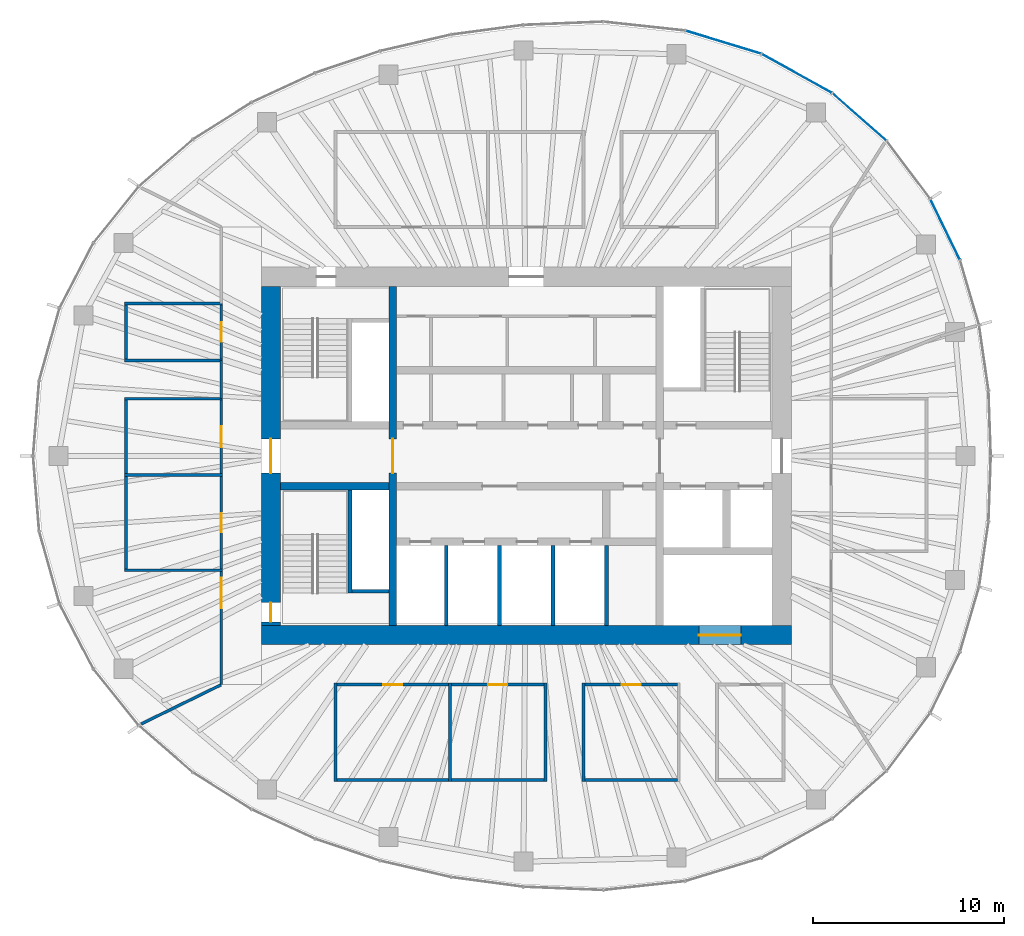
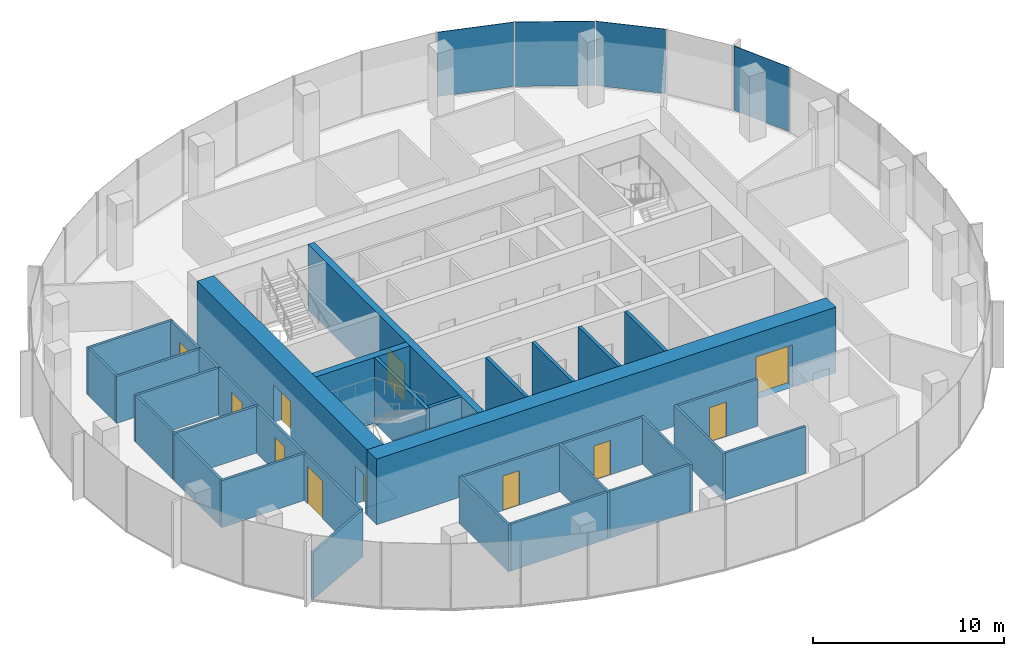
# One storey, part 8 of 11: 34 walls, 11 doors, 4 plates, 11 openings, 3 elements without a shape of their own.
"""IFC4 building model written with IfcOpenShell, lengths in metres."""

from ifc_helpers import new_model, si_unit, direction, frame, frame_2d, origin, origin_2d, place, context, subcontext, project, spatial, rectangle, extrude, material, layer, layer_set, type_object, element, fill, aggregate, save


model = new_model("IFC4")

# Units and contexts
model_context = context("Model", 3, precision=1e-05, world=origin(), true_north=direction((0.0, 1.0)))
body_context = subcontext(model_context, "Body", "Model", "MODEL_VIEW")
ifc_project = project(units=[si_unit("LENGTHUNIT", "METRE"), si_unit("AREAUNIT", "SQUARE_METRE"), si_unit("VOLUMEUNIT", "CUBIC_METRE"), si_unit("PLANEANGLEUNIT", "RADIAN"), si_unit("MASSUNIT", "GRAM", prefix="KILO")], contexts=[model_context])

# Site, building, storey
site_placement = place(None, origin())
site = spatial("IfcSite", under=ifc_project, at=site_placement, CompositionType="ELEMENT")
building_placement = place(site_placement, origin())
building = spatial("IfcBuilding", under=site, at=building_placement, Name="Ghaith Harvest Tower", CompositionType="ELEMENT")
storey_placement = place(building_placement, frame((0.0, 0.0, 330.0)))
storey = spatial("IfcBuildingStorey", under=building, at=storey_placement, Name="L74", CompositionType="ELEMENT", Elevation=330.0)

# Curtain wall, plate
ifc_material_1 = material(Name="Black anodised aluminium and fritted glass", Category="aluminium")
curtain_wall_type = type_object("IfcCurtainWallType", Name="CW-T CURTAIN WALL", PredefinedType="NOTDEFINED", material=ifc_material_1)
curtain_wall_1_placement = place(storey_placement, origin())
curtain_wall_1 = element("IfcCurtainWall", 1, at=curtain_wall_1_placement, inside=storey, type_object=curtain_wall_type, Name="Curtain wall CW-T bay 02 L74", PredefinedType="NOTDEFINED")
ifc_material_2 = material(Name="Glass, dark solar-control fritted double glazed unit", Category="glass")
ifc_layer_1 = layer(ifc_material_2, 0.033935546875)
ifc_layer_set_1 = layer_set([ifc_layer_1], Name="CW-T VISION PANEL")
plate_type = type_object("IfcPlateType", Name="CW-T VISION PANEL", PredefinedType="CURTAIN_PANEL", material=ifc_layer_set_1)
plate_1_placement = place(storey_placement, frame((21.9716796875, 11.878662109375, 0.079833984375), z_axis=(0.0, 0.0, 1.0), x_axis=(-0.437968365148, 0.898990384337, 0.0)))
plate_1 = element("IfcPlate", 2, at=plate_1_placement, type_object=plate_type, Name="CW-T glass unit 2 bay 02 L74", PredefinedType="CURTAIN_PANEL", context=body_context, shape_type="SweptSolid", body=[
    extrude(rectangle(XDim=3.49365234375, YDim=0.033935546875, at=origin_2d()), origin(), (0.0, 0.0, 1.0), 4.1201171875),
])
aggregate(curtain_wall_1, [plate_1])

curtain_wall_2_placement = place(storey_placement, origin())
curtain_wall_2 = element("IfcCurtainWall", 3, at=curtain_wall_2_placement, inside=storey, type_object=curtain_wall_type, Name="Curtain wall CW-T bay 03 L74", PredefinedType="NOTDEFINED")
plate_2_placement = place(storey_placement, frame((17.47509765625, 17.779541015625, 0.079833984375), z_axis=(0.0, 0.0, 1.0), x_axis=(-0.751334532416, 0.659921525941, 0.0)))
plate_2 = element("IfcPlate", 4, at=plate_2_placement, type_object=plate_type, Name="CW-T glass unit 2 bay 03 L74", PredefinedType="CURTAIN_PANEL", context=body_context, shape_type="SweptSolid", body=[
    extrude(rectangle(XDim=3.7158203125, YDim=0.033935546875, at=origin_2d()), origin(), (0.0, 0.0, 1.0), 4.1201171875),
])
aggregate(curtain_wall_2, [plate_2])

# Curtain wall, plates
curtain_wall_3_placement = place(storey_placement, origin())
curtain_wall_3 = element("IfcCurtainWall", 5, at=curtain_wall_3_placement, inside=storey, type_object=curtain_wall_type, Name="Curtain wall CW-T bay 04 L74", PredefinedType="NOTDEFINED")
plate_3_placement = place(storey_placement, frame((14.19189453125, 20.06201171875, 0.079833984375), z_axis=(0.0, 0.0, 1.0), x_axis=(-0.87456402291, 0.484910063653, 0.0)))
plate_3 = element("IfcPlate", 6, at=plate_3_placement, type_object=plate_type, Name="CW-T glass unit 1 bay 04 L74", PredefinedType="CURTAIN_PANEL", context=body_context, shape_type="SweptSolid", body=[
    extrude(rectangle(XDim=4.167724609375, YDim=0.033935546875, at=origin_2d()), origin(), (0.0, 0.0, 1.0), 4.1201171875),
])
plate_4_placement = place(storey_placement, frame((10.337158203125, 21.700439453125, 0.079833984375), z_axis=(0.0, 0.0, 1.0), x_axis=(-0.956587736124, 0.291444511181, 0.0)))
plate_4 = element("IfcPlate", 7, at=plate_4_placement, type_object=plate_type, Name="CW-T glass unit 2 bay 04 L74", PredefinedType="CURTAIN_PANEL", context=body_context, shape_type="SweptSolid", body=[
    extrude(rectangle(XDim=4.095703125, YDim=0.033935546875, at=origin_2d()), origin(), (0.0, 0.0, 1.0), 4.1201171875),
])
aggregate(curtain_wall_3, [plate_3, plate_4])

# Wall, opening, door
ifc_material_3 = material(Name="Concrete C50/60", Category="concrete")
ifc_layer_2 = layer(ifc_material_3, 1.0)
ifc_layer_set_2 = layer_set([ifc_layer_2], Name="CORE WALL CW1000")
wall_type_1 = type_object("IfcWallType", Name="CORE WALL CW1000", PredefinedType="SHEAR", material=ifc_layer_set_2)
wall_1_placement = place(storey_placement, frame((-13.89990234375, -9.39990234375, 0.0), z_axis=(0.0, 0.0, 1.0), x_axis=(1.0, 0.0, 0.0)))
wall_1 = element("IfcWall", 8, at=wall_1_placement, inside=storey, type_object=wall_type_1, Name="Core wall S L74", PredefinedType="SHEAR", context=body_context, shape_type="SweptSolid", body=[
    extrude(rectangle(XDim=27.7998046875, YDim=1.0, at=frame_2d((13.89990234375, 0.0))), origin(), (0.0, 0.0, 1.0), 4.199951171875),
])
opening_1_placement = place(wall_1_placement, frame((22.949951171875, 0.0, 0.0)))
opening_1 = element("IfcOpeningElement", 9, at=opening_1_placement, cuts=wall_1, Name="Opening 74-026", PredefinedType="OPENING", context=body_context, shape_type="SweptSolid", body=[
    extrude(rectangle(XDim=2.199951171875, YDim=2.699951171875, at=frame_2d((1.10009765625, 1.35009765625))), frame((0.0, 0.510009765625, 0.0), z_axis=(0.0, -1.0, 0.0), x_axis=(1.0, 0.0, 0.0)), (0.0, 0.0, 1.0), 1.02001953125),
])
ifc_material_4 = material(Name="Steel fire door", Category="steel")
door_type_1 = type_object("IfcDoorType", Name="LD3 LANDING 2200x2700", OperationType="DOUBLE_DOOR_SLIDING", PredefinedType="DOOR", material=ifc_material_4)
door_1_placement = place(opening_1_placement, origin())
door_1 = element("IfcDoor", 10, at=door_1_placement, inside=storey, type_object=door_type_1, Name="Landing door, goods lift GL1", OperationType="DOUBLE_DOOR_SLIDING", OverallHeight=2.699951171875, OverallWidth=2.199951171875, PredefinedType="DOOR", context=body_context, shape_type="SweptSolid", body=[
    extrude(rectangle(XDim=2.199951171875, YDim=2.699951171875, at=frame_2d((1.10009765625, 1.35009765625))), frame((0.0, 0.02490234375, 0.0), z_axis=(0.0, -1.0, 0.0), x_axis=(1.0, 0.0, 0.0)), (0.0, 0.0, 1.0), 0.050048828125),
])
fill(opening_1, door_1)

# Wall, openings, doors
wall_2_placement = place(storey_placement, frame((-13.39990234375, 8.89990234375, 0.0), z_axis=(0.0, 0.0, 1.0), x_axis=(0.0, -1.0, 0.0)))
wall_2 = element("IfcWall", 11, at=wall_2_placement, inside=storey, type_object=wall_type_1, Name="Core wall W L74", PredefinedType="SHEAR", context=body_context, shape_type="SweptSolid", body=[
    extrude(rectangle(XDim=17.7998046875, YDim=1.0, at=frame_2d((8.89990234375, 0.0))), origin(), (0.0, 0.0, 1.0), 4.199951171875),
])
opening_2_placement = place(wall_2_placement, frame((8.0, 0.0, 0.0)))
opening_2 = element("IfcOpeningElement", 12, at=opening_2_placement, cuts=wall_2, Name="Opening 74-001", PredefinedType="OPENING", context=body_context, shape_type="SweptSolid", body=[
    extrude(rectangle(XDim=1.800048828125, YDim=2.39990234375, at=frame_2d((0.89990234375, 1.199951171875))), frame((0.0, 0.510009765625, 0.0), z_axis=(0.0, -1.0, 0.0), x_axis=(1.0, 0.0, 0.0)), (0.0, 0.0, 1.0), 1.02001953125),
])
opening_3_placement = place(wall_2_placement, frame((16.60009765625, 0.0, 0.0)))
opening_3 = element("IfcOpeningElement", 13, at=opening_3_placement, cuts=wall_2, Name="Opening 74-006", PredefinedType="OPENING", context=body_context, shape_type="SweptSolid", body=[
    extrude(rectangle(XDim=1.0, YDim=2.39990234375, at=frame_2d((0.5, 1.199951171875))), frame((0.0, 0.510009765625, 0.0), z_axis=(0.0, -1.0, 0.0), x_axis=(1.0, 0.0, 0.0)), (0.0, 0.0, 1.0), 1.02001953125),
])
ifc_material_5 = material(Name="Steel fire door", Category="steel")
door_type_2 = type_object("IfcDoorType", Name="D3 FD90 1000x2400", OperationType="SINGLE_SWING_LEFT", PredefinedType="DOOR", material=ifc_material_5)
door_2_placement = place(opening_3_placement, origin())
door_2 = element("IfcDoor", 14, at=door_2_placement, inside=storey, type_object=door_type_2, Name="Stair ST3 door", OperationType="SINGLE_SWING_RIGHT", OverallHeight=2.39990234375, OverallWidth=1.0, PredefinedType="DOOR", context=body_context, shape_type="SweptSolid", body=[
    extrude(rectangle(XDim=1.0, YDim=2.39990234375, at=frame_2d((0.5, 1.199951171875))), frame((0.0, 0.02490234375, 0.0), z_axis=(0.0, -1.0, 0.0), x_axis=(1.0, 0.0, 0.0)), (0.0, 0.0, 1.0), 0.050048828125),
])
fill(opening_3, door_2)
ifc_material_6 = material(Name="Steel fire door", Category="steel")
door_type_3 = type_object("IfcDoorType", Name="D4 FD90 PAIR 1800x2400", OperationType="DOUBLE_DOOR_SINGLE_SWING", PredefinedType="DOOR", material=ifc_material_6)
door_3_placement = place(opening_2_placement, origin())
door_3 = element("IfcDoor", 15, at=door_3_placement, inside=storey, type_object=door_type_3, Name="West lobby doors", OperationType="DOUBLE_DOOR_SINGLE_SWING", OverallHeight=2.39990234375, OverallWidth=1.800048828125, PredefinedType="DOOR", context=body_context, shape_type="SweptSolid", body=[
    extrude(rectangle(XDim=1.800048828125, YDim=2.39990234375, at=frame_2d((0.89990234375, 1.199951171875))), frame((0.0, 0.02490234375, 0.0), z_axis=(0.0, -1.0, 0.0), x_axis=(1.0, 0.0, 0.0)), (0.0, 0.0, 1.0), 0.050048828125),
])
fill(opening_2, door_3)

# Walls
ifc_material_7 = material(Name="Concrete blockwork, 2-hour", Category="masonry")
ifc_layer_3 = layer(ifc_material_7, 0.199951171875)
ifc_layer_set_3 = layer_set([ifc_layer_3], Name="LIFT SHAFT WALL 200")
wall_type_2 = type_object("IfcWallType", Name="LIFT SHAFT WALL 200", PredefinedType="PARTITIONING", material=ifc_layer_set_3)
for number, where, z_axis, x_axis, name in (
    (16, (-4.199951171875, -4.699951171875, 0.0), (0.0, 0.0, 1.0), (0.0, -1.0, 0.0), "Lift shaft wall L74"),
    (17, (-1.39990234375, -4.699951171875, 0.0), (0.0, 0.0, 1.0), (0.0, -1.0, 0.0), "Lift shaft wall L74"),
    (18, (1.39990234375, -4.699951171875, 0.0), (0.0, 0.0, 1.0), (0.0, -1.0, 0.0), "Lift shaft wall L74"),
    (19, (4.199951171875, -4.699951171875, 0.0), (0.0, 0.0, 1.0), (0.0, -1.0, 0.0), "Lift shaft wall L74"),
):
    element("IfcWall", number, at=place(storey_placement, frame(where, z_axis=z_axis, x_axis=x_axis)), inside=storey, type_object=wall_type_2, Name=name, PredefinedType="PARTITIONING", context=body_context, shape_type="SweptSolid", body=[
        extrude(rectangle(XDim=4.199951171875, YDim=0.199951171875, at=frame_2d((2.10009765625, 0.0))), origin(), (0.0, 0.0, 1.0), 4.199951171875),
    ])
ifc_material_8 = material(Name="Gypsum board on steel studs", Category="steel")
ifc_layer_4 = layer(ifc_material_8, 0.14990234375)
ifc_layer_set_4 = layer_set([ifc_layer_4], Name="PARTITION 150")
wall_type_3 = type_object("IfcWallType", Name="PARTITION 150", PredefinedType="PARTITIONING", material=ifc_layer_set_4)
for number, where, z_axis, x_axis, name in (
    (20, (-10.0, -11.925048828125, 0.0), (0.0, 0.0, 1.0), (0.0, -1.0, 0.0), "Partition L74 row S3 cross wall 1"),
    (21, (-4.0, -11.925048828125, 0.0), (0.0, 0.0, 1.0), (0.0, -1.0, 0.0), "Partition L74 row S3 cross wall 2"),
    (22, (1.0, -11.925048828125, 0.0), (0.0, 0.0, 1.0), (0.0, -1.0, 0.0), "Partition L74 row S3 cross wall 3"),
):
    element("IfcWall", number, at=place(storey_placement, frame(where, z_axis=z_axis, x_axis=x_axis)), inside=storey, type_object=wall_type_3, Name=name, PredefinedType="PARTITIONING", context=body_context, shape_type="SweptSolid", body=[
        extrude(rectangle(XDim=5.14990234375, YDim=0.14990234375, at=frame_2d((2.574951171875, 0.0))), origin(), (0.0, 0.0, 1.0), 3.0),
    ])

# Wall, opening, door
wall_3_placement = place(storey_placement, frame((-9.925048828125, -12.0, 0.0), z_axis=(0.0, 0.0, 1.0), x_axis=(1.0, 0.0, 0.0)))
wall_3 = element("IfcWall", 23, at=wall_3_placement, inside=storey, type_object=wall_type_3, Name="Partition L74-04", PredefinedType="PARTITIONING", context=body_context, shape_type="SweptSolid", body=[
    extrude(rectangle(XDim=5.85009765625, YDim=0.14990234375, at=frame_2d((2.925048828125, 0.0))), origin(), (0.0, 0.0, 1.0), 3.0),
])
opening_4_placement = place(wall_3_placement, frame((2.425048828125, 0.0, 0.0)))
opening_4 = element("IfcOpeningElement", 24, at=opening_4_placement, cuts=wall_3, Name="Opening 74-030", PredefinedType="OPENING", context=body_context, shape_type="SweptSolid", body=[
    extrude(rectangle(XDim=1.0, YDim=2.199951171875, at=frame_2d((0.5, 1.10009765625))), frame((0.0, 0.0849609375, 0.0), z_axis=(0.0, -1.0, 0.0), x_axis=(1.0, 0.0, 0.0)), (0.0, 0.0, 1.0), 0.169921875),
])
ifc_material_9 = material(Name="Timber door", Category="wood")
door_type_4 = type_object("IfcDoorType", Name="D1 SINGLE 1000x2200", OperationType="SINGLE_SWING_LEFT", PredefinedType="DOOR", material=ifc_material_9)
door_4_placement = place(opening_4_placement, origin())
door_4 = element("IfcDoor", 25, at=door_4_placement, inside=storey, type_object=door_type_4, Name="Herb nursery door", OperationType="SINGLE_SWING_LEFT", OverallHeight=2.199951171875, OverallWidth=1.0, PredefinedType="DOOR", context=body_context, shape_type="SweptSolid", body=[
    extrude(rectangle(XDim=1.0, YDim=2.199951171875, at=frame_2d((0.5, 1.10009765625))), frame((0.0, 0.02490234375, 0.0), z_axis=(0.0, -1.0, 0.0), x_axis=(1.0, 0.0, 0.0)), (0.0, 0.0, 1.0), 0.050048828125),
])
fill(opening_4, door_4)

# Wall
wall_4_placement = place(storey_placement, frame((-9.925048828125, -17.0, 0.0), z_axis=(0.0, 0.0, 1.0), x_axis=(1.0, 0.0, 0.0)))
element("IfcWall", 26, at=wall_4_placement, inside=storey, type_object=wall_type_3, Name="Partition L74-04", PredefinedType="PARTITIONING", context=body_context, shape_type="SweptSolid", body=[
    extrude(rectangle(XDim=5.85009765625, YDim=0.14990234375, at=frame_2d((2.925048828125, 0.0))), origin(), (0.0, 0.0, 1.0), 3.0),
])

# Wall, opening, door
wall_5_placement = place(storey_placement, frame((-3.925048828125, -12.0, 0.0), z_axis=(0.0, 0.0, 1.0), x_axis=(1.0, 0.0, 0.0)))
wall_5 = element("IfcWall", 27, at=wall_5_placement, inside=storey, type_object=wall_type_3, Name="Partition L74-05", PredefinedType="PARTITIONING", context=body_context, shape_type="SweptSolid", body=[
    extrude(rectangle(XDim=4.85009765625, YDim=0.14990234375, at=frame_2d((2.425048828125, 0.0))), origin(), (0.0, 0.0, 1.0), 3.0),
])
opening_5_placement = place(wall_5_placement, frame((1.925048828125, 0.0, 0.0)))
opening_5 = element("IfcOpeningElement", 28, at=opening_5_placement, cuts=wall_5, Name="Opening 74-031", PredefinedType="OPENING", context=body_context, shape_type="SweptSolid", body=[
    extrude(rectangle(XDim=1.0, YDim=2.199951171875, at=frame_2d((0.5, 1.10009765625))), frame((0.0, 0.0849609375, 0.0), z_axis=(0.0, -1.0, 0.0), x_axis=(1.0, 0.0, 0.0)), (0.0, 0.0, 1.0), 0.169921875),
])
door_5_placement = place(opening_5_placement, origin())
door_5 = element("IfcDoor", 29, at=door_5_placement, inside=storey, type_object=door_type_4, Name="Store door", OperationType="SINGLE_SWING_LEFT", OverallHeight=2.199951171875, OverallWidth=1.0, PredefinedType="DOOR", context=body_context, shape_type="SweptSolid", body=[
    extrude(rectangle(XDim=1.0, YDim=2.199951171875, at=frame_2d((0.5, 1.10009765625))), frame((0.0, 0.02490234375, 0.0), z_axis=(0.0, -1.0, 0.0), x_axis=(1.0, 0.0, 0.0)), (0.0, 0.0, 1.0), 0.050048828125),
])
fill(opening_5, door_5)

# Walls
wall_6_placement = place(storey_placement, frame((-3.925048828125, -17.0, 0.0), z_axis=(0.0, 0.0, 1.0), x_axis=(1.0, 0.0, 0.0)))
element("IfcWall", 30, at=wall_6_placement, inside=storey, type_object=wall_type_3, Name="Partition L74-05", PredefinedType="PARTITIONING", context=body_context, shape_type="SweptSolid", body=[
    extrude(rectangle(XDim=4.85009765625, YDim=0.14990234375, at=frame_2d((2.425048828125, 0.0))), origin(), (0.0, 0.0, 1.0), 3.0),
])
wall_7_placement = place(storey_placement, frame((3.0, -11.925048828125, 0.0), z_axis=(0.0, 0.0, 1.0), x_axis=(0.0, -1.0, 0.0)))
element("IfcWall", 31, at=wall_7_placement, inside=storey, type_object=wall_type_3, Name="Partition L74 row S4 cross wall 1", PredefinedType="PARTITIONING", context=body_context, shape_type="SweptSolid", body=[
    extrude(rectangle(XDim=5.14990234375, YDim=0.14990234375, at=frame_2d((2.574951171875, 0.0))), origin(), (0.0, 0.0, 1.0), 3.0),
])

# Wall, opening, door
wall_8_placement = place(storey_placement, frame((3.074951171875, -12.0, 0.0), z_axis=(0.0, 0.0, 1.0), x_axis=(1.0, 0.0, 0.0)))
wall_8 = element("IfcWall", 32, at=wall_8_placement, inside=storey, type_object=wall_type_3, Name="Partition L74-06", PredefinedType="PARTITIONING", context=body_context, shape_type="SweptSolid", body=[
    extrude(rectangle(XDim=4.85009765625, YDim=0.14990234375, at=frame_2d((2.425048828125, 0.0))), origin(), (0.0, 0.0, 1.0), 3.0),
])
opening_6_placement = place(wall_8_placement, frame((1.925048828125, 0.0, 0.0)))
opening_6 = element("IfcOpeningElement", 33, at=opening_6_placement, cuts=wall_8, Name="Opening 74-032", PredefinedType="OPENING", context=body_context, shape_type="SweptSolid", body=[
    extrude(rectangle(XDim=1.0, YDim=2.199951171875, at=frame_2d((0.5, 1.10009765625))), frame((0.0, 0.0849609375, 0.0), z_axis=(0.0, -1.0, 0.0), x_axis=(1.0, 0.0, 0.0)), (0.0, 0.0, 1.0), 0.169921875),
])
door_6_placement = place(opening_6_placement, origin())
door_6 = element("IfcDoor", 34, at=door_6_placement, inside=storey, type_object=door_type_4, Name="Potting room door", OperationType="SINGLE_SWING_LEFT", OverallHeight=2.199951171875, OverallWidth=1.0, PredefinedType="DOOR", context=body_context, shape_type="SweptSolid", body=[
    extrude(rectangle(XDim=1.0, YDim=2.199951171875, at=frame_2d((0.5, 1.10009765625))), frame((0.0, 0.02490234375, 0.0), z_axis=(0.0, -1.0, 0.0), x_axis=(1.0, 0.0, 0.0)), (0.0, 0.0, 1.0), 0.050048828125),
])
fill(opening_6, door_6)

# Walls
wall_9_placement = place(storey_placement, frame((3.074951171875, -17.0, 0.0), z_axis=(0.0, 0.0, 1.0), x_axis=(1.0, 0.0, 0.0)))
element("IfcWall", 35, at=wall_9_placement, inside=storey, type_object=wall_type_3, Name="Partition L74-06", PredefinedType="PARTITIONING", context=body_context, shape_type="SweptSolid", body=[
    extrude(rectangle(XDim=4.85009765625, YDim=0.14990234375, at=frame_2d((2.425048828125, 0.0))), origin(), (0.0, 0.0, 1.0), 3.0),
])
for number, where, z_axis, x_axis, name in (
    (36, (-15.925048828125, -6.0, 0.0), (0.0, 0.0, 1.0), (-1.0, 0.0, 0.0), "Partition L74 row W5 cross wall 1"),
    (37, (-15.925048828125, -1.0, 0.0), (0.0, 0.0, 1.0), (-1.0, 0.0, 0.0), "Partition L74 row W5 cross wall 2"),
    (38, (-15.925048828125, 3.0, 0.0), (0.0, 0.0, 1.0), (-1.0, 0.0, 0.0), "Partition L74 row W5 cross wall 3"),
):
    element("IfcWall", number, at=place(storey_placement, frame(where, z_axis=z_axis, x_axis=x_axis)), inside=storey, type_object=wall_type_3, Name=name, PredefinedType="PARTITIONING", context=body_context, shape_type="SweptSolid", body=[
        extrude(rectangle(XDim=5.14990234375, YDim=0.14990234375, at=frame_2d((2.574951171875, 0.0))), origin(), (0.0, 0.0, 1.0), 3.0),
    ])

# Wall, opening, door
wall_10_placement = place(storey_placement, frame((-16.0, -5.925048828125, 0.0), z_axis=(0.0, 0.0, 1.0), x_axis=(0.0, 1.0, 0.0)))
wall_10 = element("IfcWall", 39, at=wall_10_placement, inside=storey, type_object=wall_type_3, Name="Partition L74-07", PredefinedType="PARTITIONING", context=body_context, shape_type="SweptSolid", body=[
    extrude(rectangle(XDim=4.85009765625, YDim=0.14990234375, at=frame_2d((2.425048828125, 0.0))), origin(), (0.0, 0.0, 1.0), 3.0),
])
opening_7_placement = place(wall_10_placement, frame((1.925048828125, 0.0, 0.0)))
opening_7 = element("IfcOpeningElement", 40, at=opening_7_placement, cuts=wall_10, Name="Opening 74-033", PredefinedType="OPENING", context=body_context, shape_type="SweptSolid", body=[
    extrude(rectangle(XDim=1.0, YDim=2.199951171875, at=frame_2d((0.5, 1.10009765625))), frame((0.0, 0.0849609375, 0.0), z_axis=(0.0, -1.0, 0.0), x_axis=(1.0, 0.0, 0.0)), (0.0, 0.0, 1.0), 0.169921875),
])
door_7_placement = place(opening_7_placement, origin())
door_7 = element("IfcDoor", 41, at=door_7_placement, inside=storey, type_object=door_type_4, Name="Staff room door", OperationType="SINGLE_SWING_LEFT", OverallHeight=2.199951171875, OverallWidth=1.0, PredefinedType="DOOR", context=body_context, shape_type="SweptSolid", body=[
    extrude(rectangle(XDim=1.0, YDim=2.199951171875, at=frame_2d((0.5, 1.10009765625))), frame((0.0, 0.02490234375, 0.0), z_axis=(0.0, -1.0, 0.0), x_axis=(1.0, 0.0, 0.0)), (0.0, 0.0, 1.0), 0.050048828125),
])
fill(opening_7, door_7)

# Wall
wall_11_placement = place(storey_placement, frame((-21.0, -5.925048828125, 0.0), z_axis=(0.0, 0.0, 1.0), x_axis=(0.0, 1.0, 0.0)))
element("IfcWall", 42, at=wall_11_placement, inside=storey, type_object=wall_type_3, Name="Partition L74-07", PredefinedType="PARTITIONING", context=body_context, shape_type="SweptSolid", body=[
    extrude(rectangle(XDim=4.85009765625, YDim=0.14990234375, at=frame_2d((2.425048828125, 0.0))), origin(), (0.0, 0.0, 1.0), 3.0),
])

# Wall, opening, door
wall_12_placement = place(storey_placement, frame((-16.0, -0.925048828125, 0.0), z_axis=(0.0, 0.0, 1.0), x_axis=(0.0, 1.0, 0.0)))
wall_12 = element("IfcWall", 43, at=wall_12_placement, inside=storey, type_object=wall_type_3, Name="Partition L74-08", PredefinedType="PARTITIONING", context=body_context, shape_type="SweptSolid", body=[
    extrude(rectangle(XDim=3.85009765625, YDim=0.14990234375, at=frame_2d((1.925048828125, 0.0))), origin(), (0.0, 0.0, 1.0), 3.0),
])
opening_8_placement = place(wall_12_placement, frame((1.375, 0.0, 0.0)))
opening_8 = element("IfcOpeningElement", 44, at=opening_8_placement, cuts=wall_12, Name="Opening 74-034", PredefinedType="OPENING", context=body_context, shape_type="SweptSolid", body=[
    extrude(rectangle(XDim=1.10009765625, YDim=2.300048828125, at=frame_2d((0.550048828125, 1.14990234375))), frame((0.0, 0.0849609375, 0.0), z_axis=(0.0, -1.0, 0.0), x_axis=(1.0, 0.0, 0.0)), (0.0, 0.0, 1.0), 0.169921875),
])
ifc_material_10 = material(Name="Timber-framed glazed door", Category="wood")
door_type_5 = type_object("IfcDoorType", Name="D12 GLAZED OFFICE 1100x2300", OperationType="SINGLE_SWING_LEFT", PredefinedType="DOOR", material=ifc_material_10)
door_8_placement = place(opening_8_placement, origin())
door_8 = element("IfcDoor", 45, at=door_8_placement, inside=storey, type_object=door_type_5, Name="Crop office door", OperationType="SINGLE_SWING_LEFT", OverallHeight=2.300048828125, OverallWidth=1.10009765625, PredefinedType="DOOR", context=body_context, shape_type="SweptSolid", body=[
    extrude(rectangle(XDim=1.10009765625, YDim=2.300048828125, at=frame_2d((0.550048828125, 1.14990234375))), frame((0.0, 0.02490234375, 0.0), z_axis=(0.0, -1.0, 0.0), x_axis=(1.0, 0.0, 0.0)), (0.0, 0.0, 1.0), 0.050048828125),
])
fill(opening_8, door_8)

# Walls
wall_13_placement = place(storey_placement, frame((-21.0, -0.925048828125, 0.0), z_axis=(0.0, 0.0, 1.0), x_axis=(0.0, 1.0, 0.0)))
element("IfcWall", 46, at=wall_13_placement, inside=storey, type_object=wall_type_3, Name="Partition L74-08", PredefinedType="PARTITIONING", context=body_context, shape_type="SweptSolid", body=[
    extrude(rectangle(XDim=3.85009765625, YDim=0.14990234375, at=frame_2d((1.925048828125, 0.0))), origin(), (0.0, 0.0, 1.0), 3.0),
])
for number, where, z_axis, x_axis, name in (
    (47, (-15.925048828125, 5.0, 0.0), (0.0, 0.0, 1.0), (-1.0, 0.0, 0.0), "Partition L74 row W8 cross wall 1"),
    (48, (-15.925048828125, 8.0, 0.0), (0.0, 0.0, 1.0), (-1.0, 0.0, 0.0), "Partition L74 row W8 cross wall 2"),
):
    element("IfcWall", number, at=place(storey_placement, frame(where, z_axis=z_axis, x_axis=x_axis)), inside=storey, type_object=wall_type_3, Name=name, PredefinedType="PARTITIONING", context=body_context, shape_type="SweptSolid", body=[
        extrude(rectangle(XDim=5.14990234375, YDim=0.14990234375, at=frame_2d((2.574951171875, 0.0))), origin(), (0.0, 0.0, 1.0), 3.0),
    ])

# Wall, opening, door
wall_14_placement = place(storey_placement, frame((-16.0, 5.074951171875, 0.0), z_axis=(0.0, 0.0, 1.0), x_axis=(0.0, 1.0, 0.0)))
wall_14 = element("IfcWall", 49, at=wall_14_placement, inside=storey, type_object=wall_type_3, Name="Partition L74-11", PredefinedType="PARTITIONING", context=body_context, shape_type="SweptSolid", body=[
    extrude(rectangle(XDim=2.85009765625, YDim=0.14990234375, at=frame_2d((1.425048828125, 0.0))), origin(), (0.0, 0.0, 1.0), 3.0),
])
opening_9_placement = place(wall_14_placement, frame((0.925048828125, 0.0, 0.0)))
opening_9 = element("IfcOpeningElement", 50, at=opening_9_placement, cuts=wall_14, Name="Opening 74-037", PredefinedType="OPENING", context=body_context, shape_type="SweptSolid", body=[
    extrude(rectangle(XDim=1.0, YDim=2.199951171875, at=frame_2d((0.5, 1.10009765625))), frame((0.0, 0.0849609375, 0.0), z_axis=(0.0, -1.0, 0.0), x_axis=(1.0, 0.0, 0.0)), (0.0, 0.0, 1.0), 0.169921875),
])
door_9_placement = place(opening_9_placement, origin())
door_9 = element("IfcDoor", 51, at=door_9_placement, inside=storey, type_object=door_type_4, Name="Store door", OperationType="SINGLE_SWING_LEFT", OverallHeight=2.199951171875, OverallWidth=1.0, PredefinedType="DOOR", context=body_context, shape_type="SweptSolid", body=[
    extrude(rectangle(XDim=1.0, YDim=2.199951171875, at=frame_2d((0.5, 1.10009765625))), frame((0.0, 0.02490234375, 0.0), z_axis=(0.0, -1.0, 0.0), x_axis=(1.0, 0.0, 0.0)), (0.0, 0.0, 1.0), 0.050048828125),
])
fill(opening_9, door_9)

# Walls
wall_15_placement = place(storey_placement, frame((-21.0, 5.074951171875, 0.0), z_axis=(0.0, 0.0, 1.0), x_axis=(0.0, 1.0, 0.0)))
element("IfcWall", 52, at=wall_15_placement, inside=storey, type_object=wall_type_3, Name="Partition L74-11", PredefinedType="PARTITIONING", context=body_context, shape_type="SweptSolid", body=[
    extrude(rectangle(XDim=2.85009765625, YDim=0.14990234375, at=frame_2d((1.425048828125, 0.0))), origin(), (0.0, 0.0, 1.0), 3.0),
])
wall_16_placement = place(storey_placement, frame((-16.017822265625, -12.0087890625, 0.0), z_axis=(0.0, 0.0, 1.0), x_axis=(-0.897771840996, -0.440460805879, 0.0)))
element("IfcWall", 53, at=wall_16_placement, inside=storey, type_object=wall_type_3, Name="Partition L74 zone division", PredefinedType="PARTITIONING", context=body_context, shape_type="SweptSolid", body=[
    extrude(rectangle(XDim=4.66552734375, YDim=0.14990234375, at=frame_2d((2.332763671875, 0.0))), origin(), (0.0, 0.0, 1.0), 3.0),
])

# Wall, opening, door
wall_17_placement = place(storey_placement, frame((-16.0, -6.0, 0.0), z_axis=(0.0, 0.0, 1.0), x_axis=(0.0, -1.0, 0.0)))
wall_17 = element("IfcWall", 54, at=wall_17_placement, inside=storey, type_object=wall_type_3, Name="Partition L74 zone enclosure", PredefinedType="PARTITIONING", context=body_context, shape_type="SweptSolid", body=[
    extrude(rectangle(XDim=6.0, YDim=0.14990234375, at=frame_2d((3.0, 0.0))), origin(), (0.0, 0.0, 1.0), 3.0),
])
opening_10_placement = place(wall_17_placement, frame((0.39990234375, 0.0, 0.0)))
opening_10 = element("IfcOpeningElement", 55, at=opening_10_placement, cuts=wall_17, Name="Opening 74-040", PredefinedType="OPENING", context=body_context, shape_type="SweptSolid", body=[
    extrude(rectangle(XDim=1.60009765625, YDim=2.39990234375, at=frame_2d((0.800048828125, 1.199951171875))), frame((0.0, 0.0849609375, 0.0), z_axis=(0.0, -1.0, 0.0), x_axis=(1.0, 0.0, 0.0)), (0.0, 0.0, 1.0), 0.169921875),
])
ifc_material_11 = material(Name="Timber door", Category="wood")
door_type_6 = type_object("IfcDoorType", Name="D2 PAIR 1600x2400", OperationType="DOUBLE_DOOR_SINGLE_SWING", PredefinedType="DOOR", material=ifc_material_11)
door_10_placement = place(opening_10_placement, origin())
door_10 = element("IfcDoor", 56, at=door_10_placement, inside=storey, type_object=door_type_6, Name="Chef's growing area west door", OperationType="DOUBLE_DOOR_SINGLE_SWING", OverallHeight=2.39990234375, OverallWidth=1.60009765625, PredefinedType="DOOR", context=body_context, shape_type="SweptSolid", body=[
    extrude(rectangle(XDim=1.60009765625, YDim=2.39990234375, at=frame_2d((0.800048828125, 1.199951171875))), frame((0.0, 0.02490234375, 0.0), z_axis=(0.0, -1.0, 0.0), x_axis=(1.0, 0.0, 0.0)), (0.0, 0.0, 1.0), 0.050048828125),
])
fill(opening_10, door_10)

# Wall
wall_18_placement = place(storey_placement, frame((-16.0, 5.0, 0.0), z_axis=(0.0, 0.0, 1.0), x_axis=(0.0, -1.0, 0.0)))
element("IfcWall", 57, at=wall_18_placement, inside=storey, type_object=wall_type_3, Name="Partition L74 zone enclosure", PredefinedType="PARTITIONING", context=body_context, shape_type="SweptSolid", body=[
    extrude(rectangle(XDim=2.0, YDim=0.14990234375, at=frame_2d((1.0, 0.0))), origin(), (0.0, 0.0, 1.0), 3.0),
])

# Wall, opening, door
ifc_material_12 = material(Name="Concrete C70/85", Category="concrete")
ifc_layer_5 = layer(ifc_material_12, 0.39990234375)
ifc_layer_set_5 = layer_set([ifc_layer_5], Name="SHAFT WALL 400")
wall_type_4 = type_object("IfcWallType", Name="SHAFT WALL 400", PredefinedType="SHEAR", material=ifc_layer_set_5)
wall_19_placement = place(storey_placement, frame((-7.0, -8.89990234375, 0.0), z_axis=(0.0, 0.0, 1.0), x_axis=(0.0, 1.0, 0.0)))
wall_19 = element("IfcWall", 58, at=wall_19_placement, inside=storey, type_object=wall_type_4, Name="Shaft wall W7W L74", PredefinedType="SHEAR", context=body_context, shape_type="SweptSolid", body=[
    extrude(rectangle(XDim=17.7998046875, YDim=0.39990234375, at=frame_2d((8.89990234375, 0.0))), origin(), (0.0, 0.0, 1.0), 4.199951171875),
])
opening_11_placement = place(wall_19_placement, frame((8.0, 0.0, 0.0)))
opening_11 = element("IfcOpeningElement", 59, at=opening_11_placement, cuts=wall_19, Name="Opening 74-003", PredefinedType="OPENING", context=body_context, shape_type="SweptSolid", body=[
    extrude(rectangle(XDim=1.800048828125, YDim=2.39990234375, at=frame_2d((0.89990234375, 1.199951171875))), frame((0.0, 0.2099609375, 0.0), z_axis=(0.0, -1.0, 0.0), x_axis=(1.0, 0.0, 0.0)), (0.0, 0.0, 1.0), 0.419921875),
])
door_11_placement = place(opening_11_placement, origin())
door_11 = element("IfcDoor", 60, at=door_11_placement, inside=storey, type_object=door_type_3, Name="Lift lobby doors, west", OperationType="DOUBLE_DOOR_SINGLE_SWING", OverallHeight=2.39990234375, OverallWidth=1.800048828125, PredefinedType="DOOR", context=body_context, shape_type="SweptSolid", body=[
    extrude(rectangle(XDim=1.800048828125, YDim=2.39990234375, at=frame_2d((0.89990234375, 1.199951171875))), frame((0.0, 0.02490234375, 0.0), z_axis=(0.0, -1.0, 0.0), x_axis=(1.0, 0.0, 0.0)), (0.0, 0.0, 1.0), 0.050048828125),
])
fill(opening_11, door_11)

# Walls
wall_20_placement = place(storey_placement, frame((-12.89990234375, -1.60009765625, 0.0), z_axis=(0.0, 0.0, 1.0), x_axis=(1.0, 0.0, 0.0)))
element("IfcWall", 61, at=wall_20_placement, inside=storey, type_object=wall_type_4, Name="Shaft wall WS L74", PredefinedType="SHEAR", context=body_context, shape_type="SweptSolid", body=[
    extrude(rectangle(XDim=5.699951171875, YDim=0.39990234375, at=frame_2d((2.85009765625, 0.0))), origin(), (0.0, 0.0, 1.0), 4.199951171875),
])
ifc_material_13 = material(Name="Concrete C40/50", Category="concrete")
ifc_layer_6 = layer(ifc_material_13, 0.199951171875)
ifc_layer_set_6 = layer_set([ifc_layer_6], Name="STAIR SPINE WALL RC200")
wall_type_5 = type_object("IfcWallType", Name="STAIR SPINE WALL RC200", PredefinedType="SOLIDWALL", material=ifc_layer_set_6)
wall_21_placement = place(storey_placement, frame((-9.25, -7.199951171875, 0.0), z_axis=(0.0, 0.0, 1.0), x_axis=(0.0, 1.0, 0.0)))
element("IfcWall", 62, at=wall_21_placement, inside=storey, type_object=wall_type_5, Name="Stair ST3 spine wall L74", PredefinedType="SOLIDWALL", context=body_context, shape_type="SweptSolid", body=[
    extrude(rectangle(XDim=5.39990234375, YDim=0.199951171875, at=frame_2d((2.699951171875, 0.0))), origin(), (0.0, 0.0, 1.0), 4.199951171875),
])
wall_22_placement = place(storey_placement, frame((-9.14990234375, -7.10009765625, 0.0), z_axis=(0.0, 0.0, 1.0), x_axis=(1.0, 0.0, 0.0)))
element("IfcWall", 63, at=wall_22_placement, inside=storey, type_object=wall_type_5, Name="Stair ST3 spine wall return L74", PredefinedType="SOLIDWALL", context=body_context, shape_type="SweptSolid", body=[
    extrude(rectangle(XDim=1.949951171875, YDim=0.199951171875, at=frame_2d((0.97509765625, 0.0))), origin(), (0.0, 0.0, 1.0), 4.199951171875),
])

save(model, "model.ifc")
